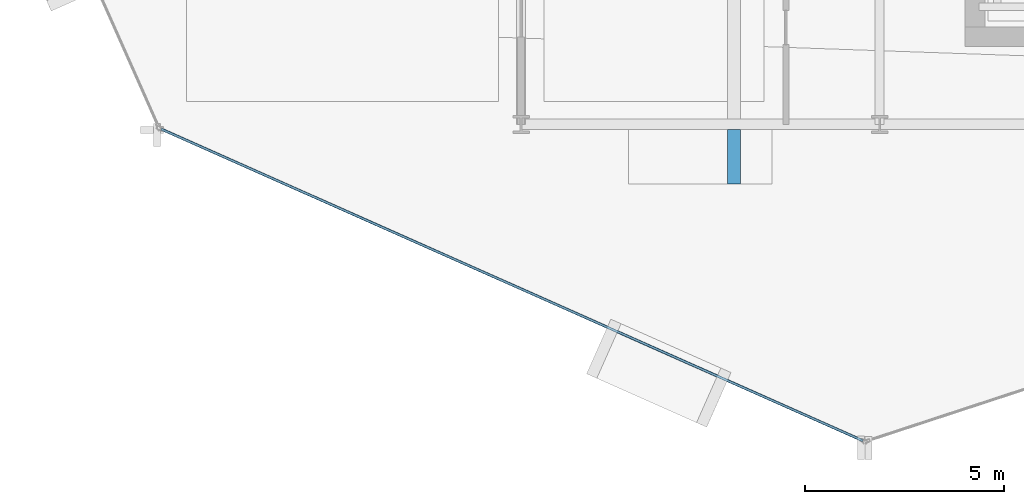
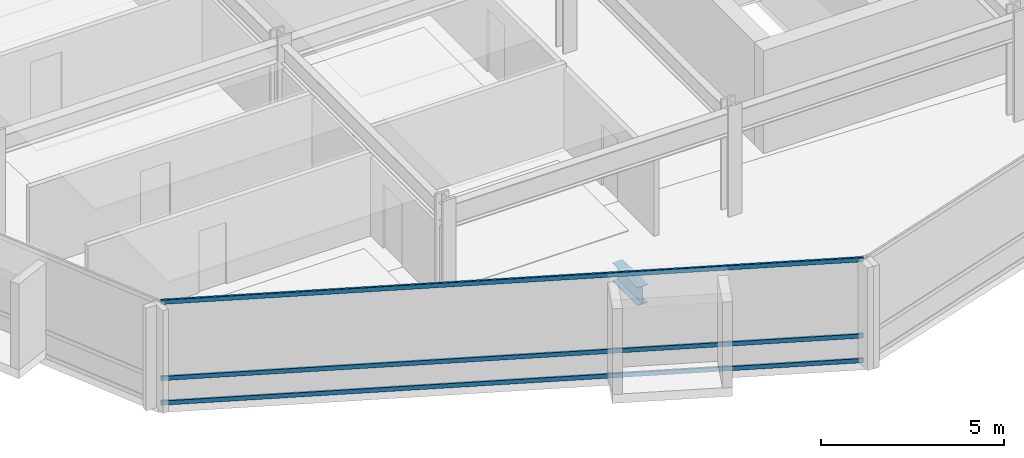
# One storey, part 3 of 28: 3 members, 1 beam, 1 element without a shape of its own.
"""IFC4 building model written with IfcOpenShell, lengths in metres."""

from ifc_helpers import new_model, si_unit, direction, frame, origin, origin_2d, place, context, subcontext, project, spatial, hollow_rectangle, i_section, extrude, material, layer, layer_set, material_profile, profile_set, type_object, element, aggregate, save


model = new_model("IFC4")

# Units and contexts
model_context = context("Model", 3, precision=1e-05, world=origin(), true_north=direction((0.0, 1.0)))
body_context = subcontext(model_context, "Body", "Model", "MODEL_VIEW")
ifc_project = project(units=[si_unit("LENGTHUNIT", "METRE"), si_unit("AREAUNIT", "SQUARE_METRE"), si_unit("VOLUMEUNIT", "CUBIC_METRE"), si_unit("PLANEANGLEUNIT", "RADIAN"), si_unit("MASSUNIT", "GRAM", prefix="KILO")], contexts=[model_context])

# Site, building, storey
site_placement = place(None, origin())
site = spatial("IfcSite", under=ifc_project, at=site_placement, CompositionType="ELEMENT")
building_placement = place(site_placement, origin())
building = spatial("IfcBuilding", under=site, at=building_placement, Name="Solvaryn Broadcast Tower", CompositionType="ELEMENT")
storey_placement = place(building_placement, frame((0.0, 0.0, 135.89990234375)))
storey = spatial("IfcBuildingStorey", under=building, at=storey_placement, Name="L33", CompositionType="ELEMENT", Elevation=135.89990234375)

# Beam
ifc_material_1 = material(Name="Steel ASTM A992 Grade 50", Category="steel")
ifc_material_profile_1 = material_profile(ifc_material_1, i_section(OverallWidth=0.323974609375, OverallDepth=0.611083984375, WebThickness=0.0126953125, FlangeThickness=0.01904296875, FilletRadius=0.014892578125, at=origin_2d()))
ifc_profile_set_1 = profile_set([ifc_material_profile_1], Name="Steel ASTM A992 Grade 50")
beam_type = type_object("IfcBeamType", Name="BM-CANT-TER", PredefinedType="BEAM", material=ifc_profile_set_1)
beam_placement = place(storey_placement, frame((23.35009765625, 8.875, -0.58544921875), z_axis=(0.0, -1.0, 0.0), x_axis=(1.0, 0.0, 0.0)))
element("IfcBeam", 1, at=beam_placement, inside=storey, type_object=beam_type, Name="L33 Bay-Box Cantilever Bracket 1", PredefinedType="BEAM", context=body_context, shape_type="SweptSolid", body=[
    extrude(i_section(OverallWidth=0.323974609375, OverallDepth=0.611083984375, WebThickness=0.0126953125, FlangeThickness=0.01904296875, FilletRadius=0.014892578125, at=origin_2d()), origin(), (0.0, 0.0, 1.0), 1.375),
])

# Curtain wall, members
ifc_material_2 = material(Name="Aluminium and Terracotta Unitised Curtain Wall", Category="masonry")
ifc_layer = layer(ifc_material_2, 0.199951171875)
ifc_layer_set = layer_set([ifc_layer], Name="CW-SYS2-LOWMID")
curtain_wall_type = type_object("IfcCurtainWallType", Name="CW-SYS2-LOWMID", PredefinedType="NOTDEFINED", material=ifc_layer_set)
curtain_wall_placement = place(storey_placement, origin())
curtain_wall = element("IfcCurtainWall", 2, at=curtain_wall_placement, inside=storey, type_object=curtain_wall_type, Name="L33 Curtain Wall DR3", PredefinedType="NOTDEFINED")
ifc_material_3 = material(Name="Anodised Aluminium 6063-T6", Category="aluminium")
ifc_material_profile_2 = material_profile(ifc_material_3, hollow_rectangle(XDim=0.06494140625, YDim=0.14990234375, WallThickness=0.00390625, InnerFilletRadius=0.00390625, OuterFilletRadius=0.008056640625, at=origin_2d()))
ifc_profile_set_2 = profile_set([ifc_material_profile_2], Name="Anodised Aluminium 6063-T6")
member_type = type_object("IfcMemberType", Name="CW-TRN-150", PredefinedType="USERDEFINED", material=ifc_profile_set_2)
member_1_placement = place(storey_placement, frame((8.962890625, 8.883544921875, 0.030029296875), z_axis=(0.913909703223, -0.405917546252, 0.0), x_axis=(0.405917546252, 0.913909703223, 0.0)))
member_1 = element("IfcMember", 3, at=member_1_placement, type_object=member_type, Name="CWS2 transom 1.1", ObjectType="TRANSOM", PredefinedType="USERDEFINED", context=body_context, shape_type="SweptSolid", body=[
    extrude(hollow_rectangle(XDim=0.06494140625, YDim=0.14990234375, WallThickness=0.00390625, InnerFilletRadius=0.00390625, OuterFilletRadius=0.008056640625, at=origin_2d()), origin(), (0.0, 0.0, 1.0), 19.27783203125),
])
member_2_placement = place(storey_placement, frame((8.962890625, 8.883544921875, 0.85009765625), z_axis=(0.913909703223, -0.405917546252, 0.0), x_axis=(0.405917546252, 0.913909703223, 0.0)))
member_2 = element("IfcMember", 4, at=member_2_placement, type_object=member_type, Name="CWS2 transom 1.2", ObjectType="TRANSOM", PredefinedType="USERDEFINED", context=body_context, shape_type="SweptSolid", body=[
    extrude(hollow_rectangle(XDim=0.06494140625, YDim=0.14990234375, WallThickness=0.00390625, InnerFilletRadius=0.00390625, OuterFilletRadius=0.008056640625, at=origin_2d()), origin(), (0.0, 0.0, 1.0), 19.27783203125),
])
member_3_placement = place(storey_placement, frame((8.962890625, 8.883544921875, 3.39013671875), z_axis=(0.913909703223, -0.405917546252, 0.0), x_axis=(0.405917546252, 0.913909703223, 0.0)))
member_3 = element("IfcMember", 5, at=member_3_placement, type_object=member_type, Name="CWS2 transom 1.3", ObjectType="TRANSOM", PredefinedType="USERDEFINED", context=body_context, shape_type="SweptSolid", body=[
    extrude(hollow_rectangle(XDim=0.06494140625, YDim=0.14990234375, WallThickness=0.00390625, InnerFilletRadius=0.00390625, OuterFilletRadius=0.008056640625, at=origin_2d()), origin(), (0.0, 0.0, 1.0), 19.27783203125),
])
aggregate(curtain_wall, [member_1, member_2, member_3])

save(model, "model.ifc")
